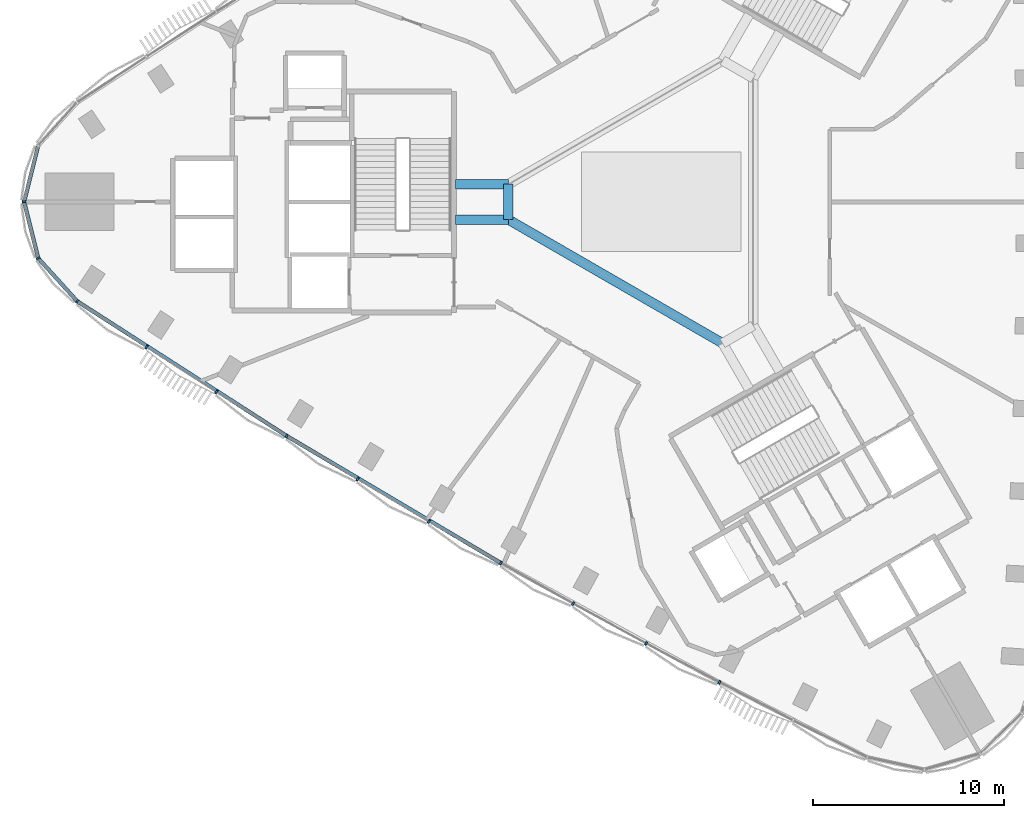
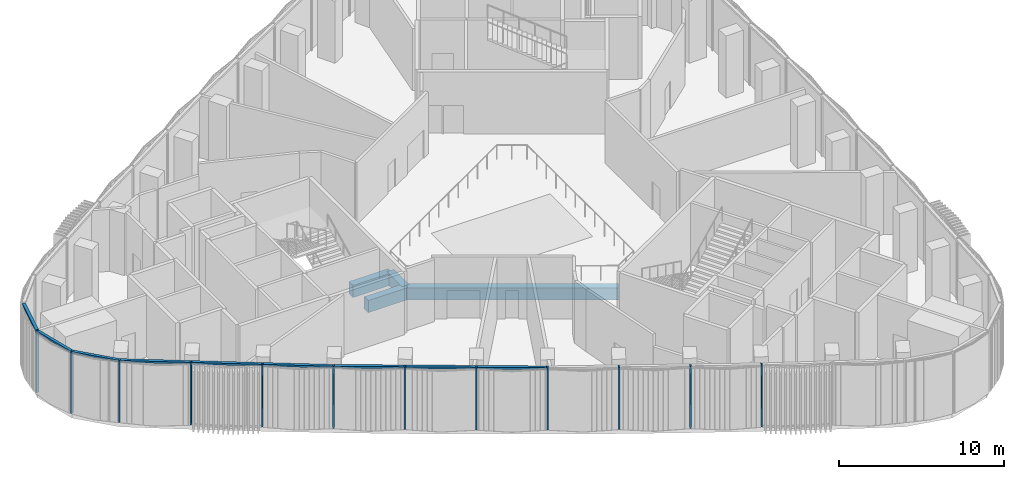
# One storey, part 2 of 17: 17 members, 4 beams, 2 elements without a shape of their own.
"""IFC4 building model written with IfcOpenShell, lengths in metres."""

import ifcopenshell
import ifcopenshell.guid

model = None  # the IFC model being written
_history = None  # IfcOwnerHistory: only IFC2X3 demands one
_inside = {}  # id of a spatial element -> (the spatial element, [elements in it])
_under = {}  # id of a project, library or spatial element -> (it, [spatial elements below it])
_declared = {}  # id of a project -> (the project, [libraries it declares])
_typed = {}  # id of a type object -> (the type object, [elements of that type])
_made_of = {}  # id of a material, layer set ... -> (it, [elements and type objects made of it])


def new_model(schema):
    """Start an empty IFC model of exactly this schema.

    Asked for "IFC4X3", IfcOpenShell would pick the latest addendum, in which some entities
    have other attributes; the version numbers below select the first issue.
    IFC2X3 requires an IfcOwnerHistory on every rooted entity: one is made here for all.
    """
    global model, _history
    if schema == "IFC4X3":
        model = ifcopenshell.file(schema_version=(4, 3, 0, 0))
    else:
        model = ifcopenshell.file(schema=schema)
    _inside.clear()
    _under.clear()
    _declared.clear()
    _typed.clear()
    _made_of.clear()
    _history = None
    if model.schema == "IFC2X3":
        org = make("IfcOrganization", Name="unknown")
        user = make(
            "IfcPersonAndOrganization",
            ThePerson=make("IfcPerson", FamilyName="unknown"),
            TheOrganization=org,
        )
        app = make(
            "IfcApplication",
            ApplicationDeveloper=org,
            Version="unknown",
            ApplicationFullName="unknown",
            ApplicationIdentifier="unknown",
        )
        _history = make(
            "IfcOwnerHistory",
            OwningUser=user,
            OwningApplication=app,
            ChangeAction="ADDED",
            CreationDate=0,
        )
    return model


def make(cls, **values):
    """One entity of the class cls with the attributes given. An attribute that is None is left unset."""
    return model.create_entity(
        cls, **{name: value for name, value in values.items() if value is not None}
    )


def rooted(cls, **values):
    """An entity with a GlobalId (a new one), such as an element, a storey or a relation."""
    return make(cls, GlobalId=ifcopenshell.guid.new(), OwnerHistory=_history, **values)


def si_unit(unit_type, name, prefix=None):
    """IfcSIUnit, for example si_unit("LENGTHUNIT", "METRE", prefix="MILLI")."""
    return make("IfcSIUnit", UnitType=unit_type, Prefix=prefix, Name=name)


def assignment(units):
    """IfcUnitAssignment: the units of a project."""
    return None if units is None else make("IfcUnitAssignment", Units=units)


def point(xyz):
    """IfcCartesianPoint."""
    return None if xyz is None else make("IfcCartesianPoint", Coordinates=xyz)


def direction(xyz):
    """IfcDirection."""
    return None if xyz is None else make("IfcDirection", DirectionRatios=xyz)


def frame(location, z_axis=None, x_axis=None):
    """IfcAxis2Placement3D, a coordinate frame: its origin and axes. An axis left out is left unset."""
    return make(
        "IfcAxis2Placement3D",
        Location=point(location),
        Axis=direction(z_axis),
        RefDirection=direction(x_axis),
    )


def frame_2d(location, x_axis=None):
    """IfcAxis2Placement2D, a coordinate frame in the plane: its origin and x axis."""
    return make(
        "IfcAxis2Placement2D", Location=point(location), RefDirection=direction(x_axis)
    )


def origin():
    """The frame at (0, 0, 0) with its axes left unset."""
    return frame((0.0, 0.0, 0.0))


def origin_2d():
    """The frame at (0, 0) in the plane with its x axis left unset."""
    return frame_2d((0.0, 0.0))


def place(relative_to, where):
    """IfcLocalPlacement: puts the frame where relative to a parent placement (None: the world)."""
    return make(
        "IfcLocalPlacement", PlacementRelTo=relative_to, RelativePlacement=where
    )


def context(
    kind, dimensions, precision=None, world=None, true_north=None, identifier=None
):
    """IfcGeometricRepresentationContext, for example the 3D "Model" context."""
    return make(
        "IfcGeometricRepresentationContext",
        ContextIdentifier=identifier,
        ContextType=kind,
        CoordinateSpaceDimension=dimensions,
        Precision=precision,
        WorldCoordinateSystem=world,
        TrueNorth=true_north,
    )


def subcontext(parent, identifier, kind, view, scale=None):
    """IfcGeometricRepresentationSubContext, for example "Body" below "Model"."""
    return make(
        "IfcGeometricRepresentationSubContext",
        ContextIdentifier=identifier,
        ContextType=kind,
        ParentContext=parent,
        TargetScale=scale,
        TargetView=view,
    )


def project(units=None, contexts=None):
    """IfcProject with its units and contexts."""
    return rooted(
        "IfcProject",
        Name="project",
        RepresentationContexts=contexts,
        UnitsInContext=assignment(units),
    )


def spatial(cls, under=None, at=None, **own):
    """A site, building, storey or space (cls), placed at a placement, below another one or the project."""
    s = rooted(cls, ObjectPlacement=at, **own)
    if under is not None:
        _under.setdefault(under.id(), (under, []))[1].append(s)
    return s


def profile(cls, at=None, kind="AREA", **sizes):
    """A parametric profile (cls). Its sizes go by their IFC names, for example OverallWidth=200.0."""
    return make(cls, ProfileType=kind, Position=at, **sizes)


def rectangle(**sizes):
    """IfcRectangleProfileDef."""
    return profile("IfcRectangleProfileDef", **sizes)


def extrude(swept, where, along, depth):
    """IfcExtrudedAreaSolid: the profile swept, set in the frame where, extruded along a direction by depth."""
    return make(
        "IfcExtrudedAreaSolid",
        SweptArea=swept,
        Position=where,
        ExtrudedDirection=direction(along),
        Depth=depth,
    )


def shape(context_of_items, identifier, shape_type, items):
    """IfcShapeRepresentation: the items that make up one representation, for example the "Body"."""
    return make(
        "IfcShapeRepresentation",
        ContextOfItems=context_of_items,
        RepresentationIdentifier=identifier,
        RepresentationType=shape_type,
        Items=items,
    )


def material(Name=None, Category=None):
    """IfcMaterial."""
    return make("IfcMaterial", Name=Name, Category=Category)


def material_profile(
    of_material, cross_section, Name=None, Category=None, Priority=None
):
    """IfcMaterialProfile: a cross section and its material."""
    return make(
        "IfcMaterialProfile",
        Name=Name,
        Material=of_material,
        Profile=cross_section,
        Priority=Priority,
        Category=Category,
    )


def profile_set(profiles, Name=None, composite=None):
    """IfcMaterialProfileSet."""
    return make(
        "IfcMaterialProfileSet",
        Name=Name,
        MaterialProfiles=profiles,
        CompositeProfile=composite,
    )


def made_of(thing, what):
    """Note that an element or type object is made of a material, layer set ...; save() writes the relation."""
    if what is not None:
        _made_of.setdefault(what.id(), (what, []))[1].append(thing)
    return thing


def type_object(cls, material=None, **own):
    """A type object (cls), such as IfcWallType, which elements share."""
    return made_of(rooted(cls, **own), material)


def element(
    cls,
    number,
    at=None,
    inside=None,
    cuts=None,
    type_object=None,
    material=None,
    context=None,
    identifier="Body",
    shape_type=None,
    held_by="IfcProductDefinitionShape",
    body=None,
    shapes=None,
    **own,
):
    """One element of the class cls, such as IfcWall. Its Tag is "e" and its number.

    at: its placement. inside: the storey or other place that contains it. cuts: it is an
    opening in that element (IfcRelVoidsElement). A single representation is given by context,
    identifier, shape_type and body (its items); several are given by shapes. held_by: the class
    of the entity that holds the representations. save() writes the other relations.
    """
    e = rooted(cls, Tag="e%d" % number, ObjectPlacement=at, **own)
    if body is not None:
        shapes = [shape(context, identifier, shape_type, body)]
    if shapes is not None:
        e.Representation = make(held_by, Representations=shapes)
    if inside is not None:
        _inside.setdefault(inside.id(), (inside, []))[1].append(e)
    if cuts is not None:
        rooted(
            "IfcRelVoidsElement", RelatingBuildingElement=cuts, RelatedOpeningElement=e
        )
    if type_object is not None:
        _typed.setdefault(type_object.id(), (type_object, []))[1].append(e)
    return made_of(e, material)


def aggregate(whole, parts):
    """IfcRelAggregates: a whole, such as a stair, and the parts it consists of."""
    return rooted("IfcRelAggregates", RelatingObject=whole, RelatedObjects=parts)


def save(model, path):
    """Write the relations noted so far, then the file.

    IfcRelAggregates (storeys below a building ...), IfcRelContainedInSpatialStructure (elements
    in a storey), IfcRelDefinesByType, IfcRelAssociatesMaterial and IfcRelDeclares: one each for
    every whole, place, type object, material and project.
    """
    for whole, parts in _under.values():
        aggregate(whole, parts)
    for where, things in _inside.values():
        rooted(
            "IfcRelContainedInSpatialStructure",
            RelatedElements=things,
            RelatingStructure=where,
        )
    for kind, things in _typed.values():
        rooted("IfcRelDefinesByType", RelatedObjects=things, RelatingType=kind)
    for what, things in _made_of.values():
        rooted("IfcRelAssociatesMaterial", RelatedObjects=things, RelatingMaterial=what)
    for by, libraries in _declared.values():
        rooted("IfcRelDeclares", RelatingContext=by, RelatedDefinitions=libraries)
    model.write(path)


model = new_model("IFC4")

# Units and contexts
model_context = context("Model", 3, precision=1e-05, world=origin(), true_north=direction((0.0, 1.0)))
body_context = subcontext(model_context, "Body", "Model", "MODEL_VIEW")
ifc_project = project(units=[si_unit("LENGTHUNIT", "METRE"), si_unit("AREAUNIT", "SQUARE_METRE"), si_unit("VOLUMEUNIT", "CUBIC_METRE"), si_unit("PLANEANGLEUNIT", "RADIAN"), si_unit("MASSUNIT", "GRAM", prefix="KILO")], contexts=[model_context])

# Site, building, storey
site_placement = place(None, origin())
site = spatial("IfcSite", under=ifc_project, at=site_placement, CompositionType="ELEMENT")
building_placement = place(site_placement, origin())
building = spatial("IfcBuilding", under=site, at=building_placement, Name="Tamra Quay Hotel Tower", CompositionType="ELEMENT")
storey_placement = place(building_placement, frame((0.0, 0.0, 123.800048828125)))
storey = spatial("IfcBuildingStorey", under=building, at=storey_placement, Name="L30", CompositionType="ELEMENT", Elevation=123.800048828125)

# Beams
ifc_material_1 = material(Name="Concrete M60", Category="concrete")
ifc_material_profile_1 = material_profile(ifc_material_1, rectangle(XDim=0.5, YDim=0.89990234375, at=origin_2d()), Name="ATRIUM EDGE BEAM RC 500x900")
ifc_profile_set_1 = profile_set([ifc_material_profile_1], Name="Concrete M60")
beam_type_1 = type_object("IfcBeamType", Name="ATRIUM EDGE BEAM RC 500x900", PredefinedType="BEAM", material=ifc_profile_set_1)
beam_1_placement = place(storey_placement, frame((3.199951171875, -7.39013671875, -0.85009765625), z_axis=(-0.866024942741, 0.500000798549, 0.0), x_axis=(-0.500000798549, -0.866024942741, 0.0)))
element("IfcBeam", 1, at=beam_1_placement, inside=storey, type_object=beam_type_1, Name="BM-AB2-L30", PredefinedType="BEAM", context=body_context, shape_type="SweptSolid", body=[
    extrude(rectangle(XDim=0.5, YDim=0.89990234375, at=origin_2d()), origin(), (0.0, 0.0, 1.0), 12.9326171875),
])
beam_2_placement = place(storey_placement, frame((-8.0, -0.923828125, -0.85009765625), z_axis=(0.0, 1.0, 0.0), x_axis=(-1.0, 0.0, 0.0)))
element("IfcBeam", 2, at=beam_2_placement, inside=storey, type_object=beam_type_1, Name="BM-AB3-L30", PredefinedType="BEAM", context=body_context, shape_type="SweptSolid", body=[
    extrude(rectangle(XDim=0.5, YDim=0.89990234375, at=origin_2d()), origin(), (0.0, 0.0, 1.0), 1.84765625),
])
ifc_material_profile_2 = material_profile(ifc_material_1, rectangle(XDim=0.5, YDim=0.89990234375, at=origin_2d()), Name="ATRIUM TIE BEAM RC 500x900")
ifc_profile_set_2 = profile_set([ifc_material_profile_2], Name="Concrete M60")
beam_type_2 = type_object("IfcBeamType", Name="ATRIUM TIE BEAM RC 500x900", PredefinedType="BEAM", material=ifc_profile_set_2)
for number, where, z_axis, x_axis, name in (
    (3, (-8.0, -0.923828125, -0.85009765625), (-1.0, 0.0, 0.0), (0.0, -1.0, 0.0), "BM-TIE-3-L30"),
    (4, (-8.0, 0.923828125, -0.85009765625), (-1.0, 0.0, 0.0), (0.0, -1.0, 0.0), "BM-TIE-4-L30"),
):
    element("IfcBeam", number, at=place(storey_placement, frame(where, z_axis=z_axis, x_axis=x_axis)), inside=storey, type_object=beam_type_2, Name=name, PredefinedType="BEAM", context=body_context, shape_type="SweptSolid", body=[
        extrude(rectangle(XDim=0.5, YDim=0.89990234375, at=origin_2d()), origin(), (0.0, 0.0, 1.0), 2.76220703125),
    ])

# Curtain wall, members
ifc_material_2 = material(Name="Aluminium 6063 anodised dark grey", Category="aluminium")
curtain_wall_type_1 = type_object("IfcCurtainWallType", Name="CW2 CURTAIN WALL", PredefinedType="NOTDEFINED", material=ifc_material_2)
curtain_wall_1_placement = place(storey_placement, origin())
curtain_wall_1 = element("IfcCurtainWall", 5, at=curtain_wall_1_placement, inside=storey, type_object=curtain_wall_type_1, Name="CW2 north-west face L30", PredefinedType="NOTDEFINED")
ifc_material_profile_3 = material_profile(ifc_material_2, rectangle(XDim=0.199951171875, YDim=0.10009765625, at=origin_2d()), Name="MULLION 100X200")
ifc_profile_set_3 = profile_set([ifc_material_profile_3], Name="Aluminium 6063 anodised dark grey")
member_type_1 = type_object("IfcMemberType", Name="MULLION CW2 Z3", PredefinedType="MULLION", material=ifc_profile_set_3)
member_1_placement = place(storey_placement, frame((-33.314208984375, 0.0, 0.0), z_axis=(0.0, 0.0, 1.0), x_axis=(-1.0, 0.0, 0.0)))
member_1 = element("IfcMember", 6, at=member_1_placement, type_object=member_type_1, Name="CW2 mullion L30.NW.14", PredefinedType="MULLION", context=body_context, shape_type="SweptSolid", body=[
    extrude(rectangle(XDim=0.199951171875, YDim=0.10009765625, at=origin_2d()), origin(), (0.0, 0.0, 1.0), 4.599853515625),
])
member_2_placement = place(storey_placement, frame((-32.576171875, -2.9462890625, 0.0), z_axis=(0.0, 0.0, 1.0), x_axis=(-0.881925145425, -0.47138947577, 0.0)))
member_2 = element("IfcMember", 7, at=member_2_placement, type_object=member_type_1, Name="CW2 mullion L30.NW.15", PredefinedType="MULLION", context=body_context, shape_type="SweptSolid", body=[
    extrude(rectangle(XDim=0.199951171875, YDim=0.10009765625, at=origin_2d()), origin(), (0.0, 0.0, 1.0), 4.599853515625),
])

curtain_wall_type_2 = type_object("IfcCurtainWallType", Name="CW3 CURTAIN WALL", PredefinedType="NOTDEFINED", material=ifc_material_2)
curtain_wall_2_placement = place(storey_placement, origin())
curtain_wall_2 = element("IfcCurtainWall", 8, at=curtain_wall_2_placement, inside=storey, type_object=curtain_wall_type_2, Name="CW3 south-west face L30", PredefinedType="NOTDEFINED")
ifc_material_profile_4 = material_profile(ifc_material_2, rectangle(XDim=0.199951171875, YDim=0.10009765625, at=origin_2d()), Name="MULLION 100X200")
ifc_profile_set_4 = profile_set([ifc_material_profile_4], Name="Aluminium 6063 anodised dark grey")
member_type_2 = type_object("IfcMemberType", Name="MULLION CW3 Z3", PredefinedType="MULLION", material=ifc_profile_set_4)
member_3_placement = place(storey_placement, frame((-30.53662109375, -5.196533203125, 0.0), z_axis=(0.0, 0.0, 1.0), x_axis=(-0.6509893497, -0.759086863657, 0.0)))
member_3 = element("IfcMember", 9, at=member_3_placement, type_object=member_type_2, Name="CW3 mullion L30.SW.1", PredefinedType="MULLION", context=body_context, shape_type="SweptSolid", body=[
    extrude(rectangle(XDim=0.199951171875, YDim=0.10009765625, at=origin_2d()), origin(), (0.0, 0.0, 1.0), 4.599853515625),
])
member_4_placement = place(storey_placement, frame((-26.9150390625, -7.58642578125, 0.0), z_axis=(0.0, 0.0, 1.0), x_axis=(-0.545780307882, -0.837928311688, 0.0)))
member_4 = element("IfcMember", 10, at=member_4_placement, type_object=member_type_2, Name="CW3 mullion L30.SW.2", PredefinedType="MULLION", context=body_context, shape_type="SweptSolid", body=[
    extrude(rectangle(XDim=0.199951171875, YDim=0.10009765625, at=origin_2d()), origin(), (0.0, 0.0, 1.0), 4.599853515625),
])
member_5_placement = place(storey_placement, frame((-23.265625, -9.9326171875, 0.0), z_axis=(0.0, 0.0, 1.0), x_axis=(-0.535760008646, -0.844370305693, 0.0)))
member_5 = element("IfcMember", 11, at=member_5_placement, type_object=member_type_2, Name="CW3 mullion L30.SW.3", PredefinedType="MULLION", context=body_context, shape_type="SweptSolid", body=[
    extrude(rectangle(XDim=0.199951171875, YDim=0.10009765625, at=origin_2d()), origin(), (0.0, 0.0, 1.0), 4.599853515625),
])
member_6_placement = place(storey_placement, frame((-19.587890625, -12.2353515625, 0.0), z_axis=(0.0, 0.0, 1.0), x_axis=(-0.525645983423, -0.850703414893, 0.0)))
member_6 = element("IfcMember", 12, at=member_6_placement, type_object=member_type_2, Name="CW3 mullion L30.SW.4", PredefinedType="MULLION", context=body_context, shape_type="SweptSolid", body=[
    extrude(rectangle(XDim=0.199951171875, YDim=0.10009765625, at=origin_2d()), origin(), (0.0, 0.0, 1.0), 4.599853515625),
])
member_7_placement = place(storey_placement, frame((-15.883056640625, -14.494384765625, 0.0), z_axis=(0.0, 0.0, 1.0), x_axis=(-0.515444894044, -0.856922727674, 0.0)))
member_7 = element("IfcMember", 13, at=member_7_placement, type_object=member_type_2, Name="CW3 mullion L30.SW.5", PredefinedType="MULLION", context=body_context, shape_type="SweptSolid", body=[
    extrude(rectangle(XDim=0.199951171875, YDim=0.10009765625, at=origin_2d()), origin(), (0.0, 0.0, 1.0), 4.599853515625),
])
member_8_placement = place(storey_placement, frame((-12.15185546875, -16.708251953125, 0.0), z_axis=(0.0, 0.0, 1.0), x_axis=(-0.505168725357, -0.863020601678, 0.0)))
member_8 = element("IfcMember", 14, at=member_8_placement, type_object=member_type_2, Name="CW3 mullion L30.SW.6", PredefinedType="MULLION", context=body_context, shape_type="SweptSolid", body=[
    extrude(rectangle(XDim=0.199951171875, YDim=0.10009765625, at=origin_2d()), origin(), (0.0, 0.0, 1.0), 4.599853515625),
])
member_9_placement = place(storey_placement, frame((-8.39404296875, -18.8779296875, 0.0), z_axis=(0.0, 0.0, 1.0), x_axis=(-0.494813402364, -0.868999250196, 0.0)))
member_9 = element("IfcMember", 15, at=member_9_placement, type_object=member_type_2, Name="CW3 mullion L30.SW.7", PredefinedType="MULLION", context=body_context, shape_type="SweptSolid", body=[
    extrude(rectangle(XDim=0.199951171875, YDim=0.10009765625, at=origin_2d()), origin(), (0.0, 0.0, 1.0), 4.599853515625),
])
member_10_placement = place(storey_placement, frame((-4.61083984375, -21.002197265625, 0.0), z_axis=(0.0, 0.0, 1.0), x_axis=(-0.484394404224, -0.87484973633, 0.0)))
member_10 = element("IfcMember", 16, at=member_10_placement, type_object=member_type_2, Name="CW3 mullion L30.SW.8", PredefinedType="MULLION", context=body_context, shape_type="SweptSolid", body=[
    extrude(rectangle(XDim=0.199951171875, YDim=0.10009765625, at=origin_2d()), origin(), (0.0, 0.0, 1.0), 4.599853515625),
])
member_11_placement = place(storey_placement, frame((-0.80224609375, -23.081298828125, 0.0), z_axis=(0.0, 0.0, 1.0), x_axis=(-0.473907776672, -0.880574482488, 0.0)))
member_11 = element("IfcMember", 17, at=member_11_placement, type_object=member_type_2, Name="CW3 mullion L30.SW.9", PredefinedType="MULLION", context=body_context, shape_type="SweptSolid", body=[
    extrude(rectangle(XDim=0.199951171875, YDim=0.10009765625, at=origin_2d()), origin(), (0.0, 0.0, 1.0), 4.599853515625),
])
member_12_placement = place(storey_placement, frame((3.031005859375, -25.114990234375, 0.0), z_axis=(0.0, 0.0, 1.0), x_axis=(-0.463366130608, -0.886166930666, 0.0)))
member_12 = element("IfcMember", 18, at=member_12_placement, type_object=member_type_2, Name="CW3 mullion L30.SW.10", PredefinedType="MULLION", context=body_context, shape_type="SweptSolid", body=[
    extrude(rectangle(XDim=0.199951171875, YDim=0.10009765625, at=origin_2d()), origin(), (0.0, 0.0, 1.0), 4.599853515625),
])

# Member
ifc_material_profile_5 = material_profile(ifc_material_2, rectangle(XDim=0.199951171875, YDim=0.139892578125, at=origin_2d()), Name="TRANSOM 200X140")
ifc_profile_set_5 = profile_set([ifc_material_profile_5], Name="Aluminium 6063 anodised dark grey")
member_type_3 = type_object("IfcMemberType", Name="TRANSOM CW2 Z3", PredefinedType="USERDEFINED", material=ifc_profile_set_5)
member_13_placement = place(storey_placement, frame((-32.58837890625, 2.897705078125, 4.530029296875), z_axis=(-0.242965880256, -0.970034834958, 0.0), x_axis=(0.970034834958, -0.242965880256, 0.0)))
member_13 = element("IfcMember", 19, at=member_13_placement, type_object=member_type_3, Name="CW2 transom L30.NW.13", ObjectType="TRANSOM", PredefinedType="USERDEFINED", context=body_context, shape_type="SweptSolid", body=[
    extrude(rectangle(XDim=0.199951171875, YDim=0.139892578125, at=origin_2d()), origin(), (0.0, 0.0, 1.0), 2.93701171875),
])

member_14_placement = place(storey_placement, frame((-33.302001953125, -0.048583984375, 4.530029296875), z_axis=(0.242965880256, -0.970034834958, 0.0), x_axis=(0.970034834958, 0.242965880256, 0.0)))
member_14 = element("IfcMember", 20, at=member_14_placement, type_object=member_type_3, Name="CW2 transom L30.NW.14", ObjectType="TRANSOM", PredefinedType="USERDEFINED", context=body_context, shape_type="SweptSolid", body=[
    extrude(rectangle(XDim=0.199951171875, YDim=0.139892578125, at=origin_2d()), origin(), (0.0, 0.0, 1.0), 2.93701171875),
])

member_15_placement = place(storey_placement, frame((-32.542724609375, -2.983154296875, 4.530029296875), z_axis=(0.671555075759, -0.740954641137, 0.0), x_axis=(0.740954641137, 0.671555075759, 0.0)))
member_15 = element("IfcMember", 21, at=member_15_placement, type_object=member_type_3, Name="CW2 transom L30.NW.15", ObjectType="TRANSOM", PredefinedType="USERDEFINED", context=body_context, shape_type="SweptSolid", body=[
    extrude(rectangle(XDim=0.199951171875, YDim=0.139892578125, at=origin_2d()), origin(), (0.0, 0.0, 1.0), 2.9375),
])

aggregate(curtain_wall_1, [member_13, member_1, member_14, member_2, member_15])

ifc_material_profile_6 = material_profile(ifc_material_2, rectangle(XDim=0.199951171875, YDim=0.139892578125, at=origin_2d()), Name="TRANSOM 200X140")
ifc_profile_set_6 = profile_set([ifc_material_profile_6], Name="Aluminium 6063 anodised dark grey")
member_type_4 = type_object("IfcMemberType", Name="TRANSOM CW3 Z3", PredefinedType="USERDEFINED", material=ifc_profile_set_6)
member_16_placement = place(storey_placement, frame((-30.494873046875, -5.22412109375, 4.530029296875), z_axis=(0.841159436344, -0.54078720644, 0.0), x_axis=(0.54078720644, 0.841159436344, 0.0)))
member_16 = element("IfcMember", 22, at=member_16_placement, type_object=member_type_4, Name="CW3 transom L30.SW.1", ObjectType="TRANSOM", PredefinedType="USERDEFINED", context=body_context, shape_type="SweptSolid", body=[
    extrude(rectangle(XDim=0.199951171875, YDim=0.139892578125, at=origin_2d()), origin(), (0.0, 0.0, 1.0), 12.916015625),
])

member_17_placement = place(storey_placement, frame((-19.545166015625, -12.261474609375, 4.530029296875), z_axis=(0.859982810615, -0.510323001095, 0.0), x_axis=(0.510323001095, 0.859982810615, 0.0)))
member_17 = element("IfcMember", 23, at=member_17_placement, type_object=member_type_4, Name="CW3 transom L30.SW.4", ObjectType="TRANSOM", PredefinedType="USERDEFINED", context=body_context, shape_type="SweptSolid", body=[
    extrude(rectangle(XDim=0.199951171875, YDim=0.139892578125, at=origin_2d()), origin(), (0.0, 0.0, 1.0), 12.91650390625),
])

aggregate(curtain_wall_2, [member_3, member_16, member_4, member_5, member_6, member_17, member_7, member_8, member_9, member_10, member_11, member_12])

save(model, "model.ifc")
